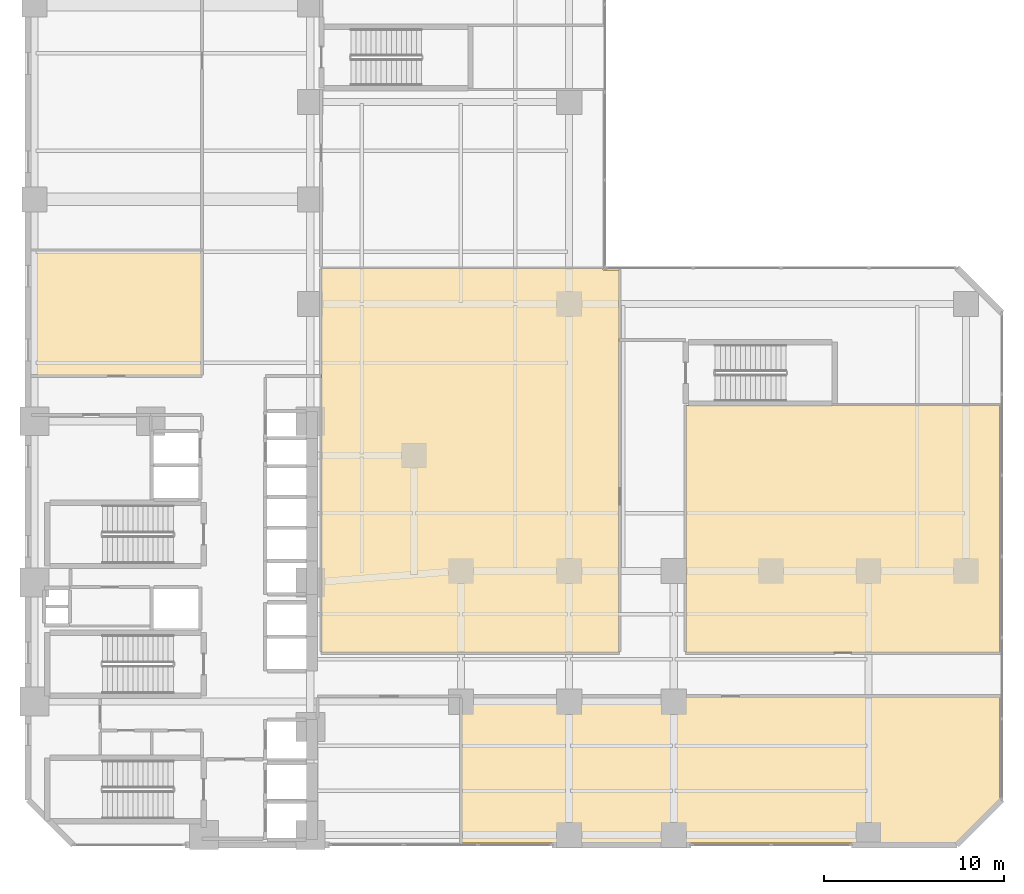
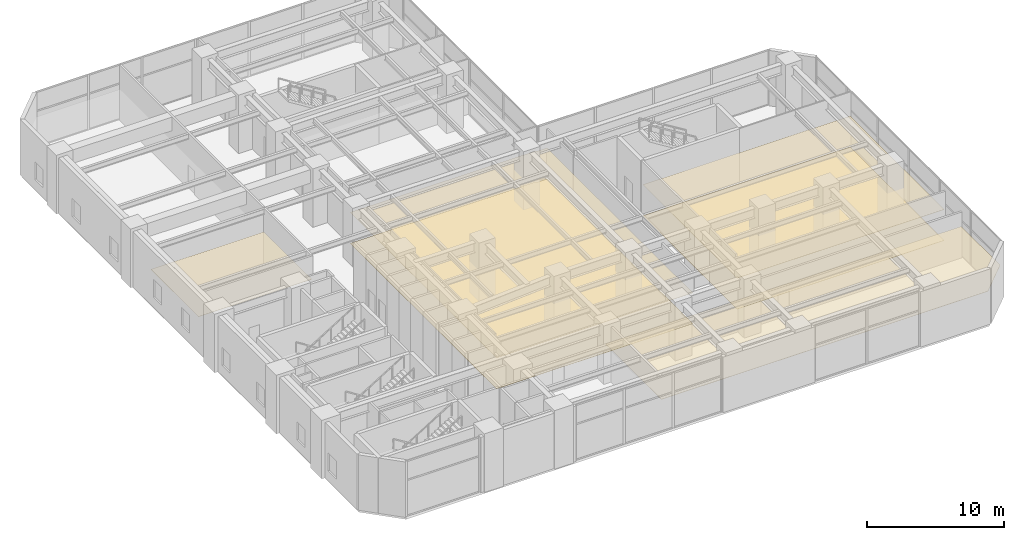
# One storey, part 26 of 29: 6 coverings.
"""IFC4 building model written with IfcOpenShell, lengths in metres."""

from ifc_helpers import new_model, si_unit, direction, frame, origin, place, context, subcontext, project, spatial, polyline, outline, extrude, material, layer, layer_set, type_object, element, save


model = new_model("IFC4")

# Units and contexts
model_context = context("Model", 3, precision=1e-05, world=origin(), true_north=direction((0.0, 1.0)))
body_context = subcontext(model_context, "Body", "Model", "MODEL_VIEW")
ifc_project = project(units=[si_unit("LENGTHUNIT", "METRE"), si_unit("AREAUNIT", "SQUARE_METRE"), si_unit("VOLUMEUNIT", "CUBIC_METRE"), si_unit("PLANEANGLEUNIT", "RADIAN"), si_unit("MASSUNIT", "GRAM", prefix="KILO")], contexts=[model_context])

# Site, building, storey
site_placement = place(None, origin())
site = spatial("IfcSite", under=ifc_project, at=site_placement, CompositionType="ELEMENT")
building_placement = place(site_placement, origin())
building = spatial("IfcBuilding", under=site, at=building_placement, Name="Mawjaban Terraces University", CompositionType="ELEMENT")
storey_placement = place(building_placement, frame((0.0, 0.0, 15.60009765625)))
storey = spatial("IfcBuildingStorey", under=building, at=storey_placement, Name="L03", CompositionType="ELEMENT", Elevation=15.60009765625)

# Coverings
ifc_material_1 = material(Name="Acoustic mineral fibre ceiling tile", Category="masonry")
ifc_layer_1 = layer(ifc_material_1, 0.02001953125)
ifc_layer_set_1 = layer_set([ifc_layer_1], Name="Acoustic mineral fibre ceiling tile")
covering_type_1 = type_object("IfcCoveringType", Name="AcousticMineralCeiling_20", PredefinedType="CEILING", material=ifc_layer_set_1)
covering_1_placement = place(storey_placement, frame((0.0, 0.0, 2.75)))
element("IfcCovering", 1, at=covering_1_placement, inside=storey, type_object=covering_type_1, Name="L03 Central Library Main Reading Hall Acoustic Ceiling", PredefinedType="CEILING", context=body_context, shape_type="SweptSolid", body=[
    extrude(outline(polyline([(54.77001953125, 31.885009765625), (53.885009765625, 31.885009765625), (53.885009765625, 31.969970703125), (38.280029296875, 31.969970703125), (38.280029296875, 10.679931640625), (54.77001953125, 10.679931640625), (54.77001953125, 31.885009765625)])), origin(), (0.0, 0.0, 1.0), 0.02001953125),
])
covering_2_placement = place(storey_placement, frame((0.0, 0.0, 2.75)))
element("IfcCovering", 2, at=covering_2_placement, inside=storey, type_object=covering_type_1, Name="L03 Interdisciplinary Seminar Hall Acoustic Ceiling", PredefinedType="CEILING", context=body_context, shape_type="SweptSolid", body=[
    extrude(outline(polyline([(75.885009765625, 10.679931640625), (75.885009765625, 24.3701171875), (58.47998046875, 24.3701171875), (58.47998046875, 10.679931640625), (75.885009765625, 10.679931640625)])), origin(), (0.0, 0.0, 1.0), 0.02001953125),
])
covering_3_placement = place(storey_placement, frame((0.0, 0.0, 2.75)))
element("IfcCovering", 3, at=covering_3_placement, inside=storey, type_object=covering_type_1, Name="L03 Central Library Bookstack Hall Acoustic Ceiling", PredefinedType="CEILING", context=body_context, shape_type="SweptSolid", body=[
    extrude(outline(polyline([(22.114990234375, 32.969970703125), (22.114990234375, 26.030029296875), (31.6201171875, 26.030029296875), (31.6201171875, 32.969970703125), (22.114990234375, 32.969970703125)])), origin(), (0.0, 0.0, 1.0), 0.02001953125),
])
covering_4_placement = place(storey_placement, frame((0.0, 0.0, 2.75)))
element("IfcCovering", 4, at=covering_4_placement, inside=storey, type_object=covering_type_1, Name="L03 Instructional Media Studio Acoustic Ceiling", PredefinedType="CEILING", context=body_context, shape_type="SweptSolid", body=[
    extrude(outline(polyline([(46.030029296875, 0.114990234375), (73.452880859375, 0.114990234375), (75.885009765625, 2.547119140625), (75.885009765625, 8.219970703125), (46.030029296875, 8.219970703125), (46.030029296875, 0.114990234375)])), origin(), (0.0, 0.0, 1.0), 0.02001953125),
])
ifc_material_2 = material(Name="Polished Hijazi granite terrazzo flooring", Category="masonry")
ifc_layer_2 = layer(ifc_material_2, 0.02490234375)
ifc_layer_set_2 = layer_set([ifc_layer_2], Name="Polished Hijazi granite terrazzo flooring")
covering_type_2 = type_object("IfcCoveringType", Name="TerrazzoConcourseFlooring_25", PredefinedType="FLOORING", material=ifc_layer_set_2)
covering_5_placement = place(storey_placement, origin())
element("IfcCovering", 5, at=covering_5_placement, inside=storey, type_object=covering_type_2, Name="L03 Central Library Main Reading Hall Terrazzo Flooring", PredefinedType="FLOORING", context=body_context, shape_type="SweptSolid", body=[
    extrude(outline(polyline([(54.77001953125, 31.885009765625), (53.885009765625, 31.885009765625), (53.885009765625, 31.969970703125), (38.280029296875, 31.969970703125), (38.280029296875, 10.679931640625), (54.77001953125, 10.679931640625), (54.77001953125, 31.885009765625)])), origin(), (0.0, 0.0, 1.0), 0.02490234375),
])
covering_6_placement = place(storey_placement, origin())
element("IfcCovering", 6, at=covering_6_placement, inside=storey, type_object=covering_type_2, Name="L03 Interdisciplinary Seminar Hall Terrazzo Flooring", PredefinedType="FLOORING", context=body_context, shape_type="SweptSolid", body=[
    extrude(outline(polyline([(75.885009765625, 10.679931640625), (75.885009765625, 24.3701171875), (58.47998046875, 24.3701171875), (58.47998046875, 10.679931640625), (75.885009765625, 10.679931640625)])), origin(), (0.0, 0.0, 1.0), 0.02490234375),
])

save(model, "model.ifc")
